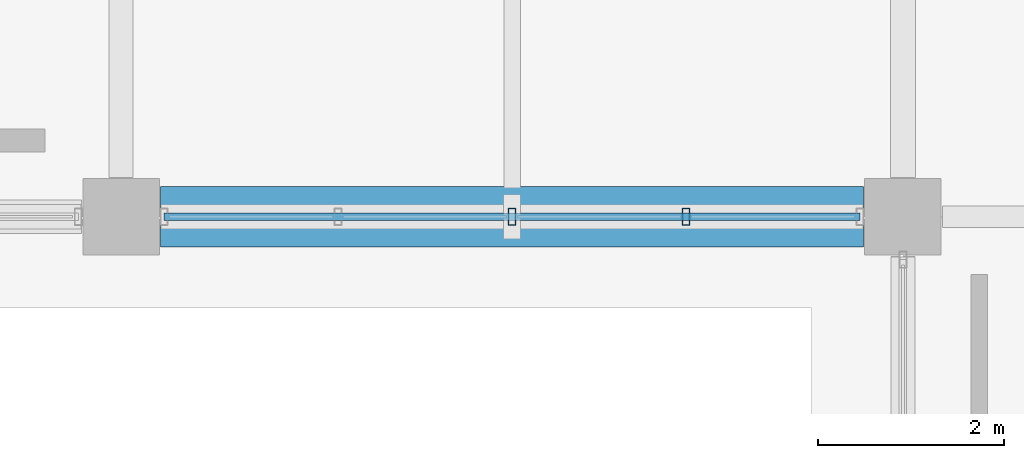
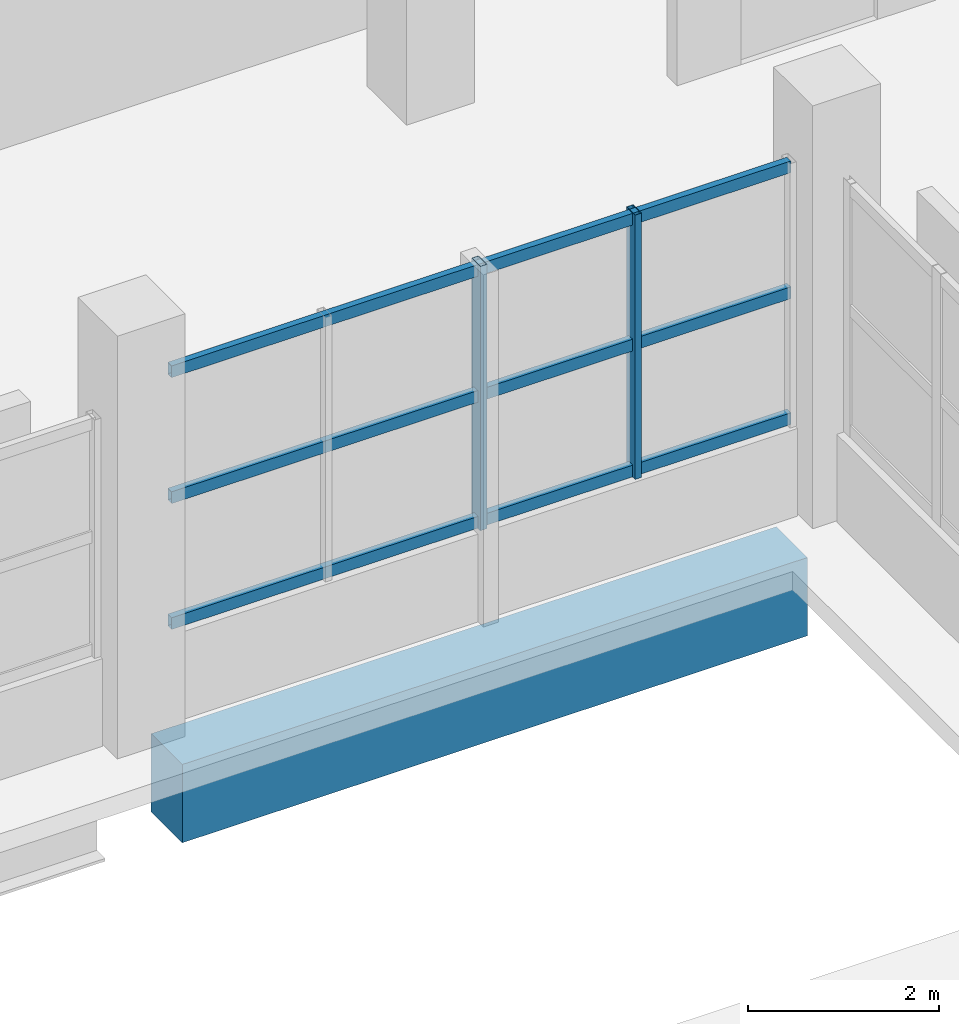
# One storey, part 34 of 107: 5 members, 1 beam, 1 element without a shape of its own.
"""IFC4 building model written with IfcOpenShell, lengths in metres."""

from ifc_helpers import new_model, si_unit, direction, frame, origin, origin_2d, place, context, subcontext, project, spatial, rectangle, hollow_rectangle, extrude, material, material_profile, profile_set, type_object, element, aggregate, save


model = new_model("IFC4")

# Units and contexts
model_context = context("Model", 3, precision=1e-05, world=origin(), true_north=direction((0.0, 1.0)))
body_context = subcontext(model_context, "Body", "Model", "MODEL_VIEW")
ifc_project = project(units=[si_unit("LENGTHUNIT", "METRE"), si_unit("AREAUNIT", "SQUARE_METRE"), si_unit("VOLUMEUNIT", "CUBIC_METRE"), si_unit("PLANEANGLEUNIT", "RADIAN"), si_unit("MASSUNIT", "GRAM", prefix="KILO")], contexts=[model_context])

# Site, building, storey
site_placement = place(None, origin())
site = spatial("IfcSite", under=ifc_project, at=site_placement, CompositionType="ELEMENT")
building_placement = place(site_placement, origin())
building = spatial("IfcBuilding", under=site, at=building_placement, Name="Solvento Point Concert Hall", CompositionType="ELEMENT")
storey_placement = place(building_placement, origin())
storey = spatial("IfcBuildingStorey", under=building, at=storey_placement, Name="L00", CompositionType="ELEMENT", Elevation=0.0)

# Beam
ifc_material_1 = material(Name="Concrete C35/45", Category="concrete")
ifc_material_profile_1 = material_profile(ifc_material_1, rectangle(XDim=0.64990234375, YDim=1.0, at=origin_2d()), Name="RC-BM-650X1000")
ifc_profile_set_1 = profile_set([ifc_material_profile_1], Name="Concrete C35/45")
beam_type = type_object("IfcBeamType", Name="Girder_RC_650x1000", PredefinedType="USERDEFINED", material=ifc_profile_set_1)
beam_placement = place(storey_placement, frame((58.02392578125, 119.0, -0.9140625), z_axis=(1.0, 0.0, 0.0), x_axis=(0.0, 1.0, 0.0)))
element("IfcBeam", 1, at=beam_placement, inside=storey, type_object=beam_type, Name="Primary girder B-67 L00", ObjectType="GIRDER", PredefinedType="USERDEFINED", context=body_context, shape_type="SweptSolid", body=[
    extrude(rectangle(XDim=0.64990234375, YDim=1.0, at=origin_2d()), origin(), (0.0, 0.0, 1.0), 7.552001953125),
])

# Curtain wall, members
ifc_material_2 = material(Name="Anodized Bronze Aluminium", Category="aluminium")
curtain_wall_type = type_object("IfcCurtainWallType", Name="CurtainWall_CourtPilotis", PredefinedType="USERDEFINED", material=ifc_material_2)
curtain_wall_placement = place(storey_placement, origin())
curtain_wall = element("IfcCurtainWall", 2, at=curtain_wall_placement, inside=storey, type_object=curtain_wall_type, Name="Unitised curtain wall CW-96 UCW-L00-026", ObjectType="UNITISED CURTAIN WALL", PredefinedType="USERDEFINED")
ifc_material_3 = material(Name="Anodized Bronze Aluminium", Category="aluminium")
ifc_material_profile_2 = material_profile(ifc_material_3, hollow_rectangle(XDim=0.080078125, YDim=0.179931640625, WallThickness=0.00390625, at=origin_2d()), Name="CW-MUL-80X180")
ifc_profile_set_2 = profile_set([ifc_material_profile_2], Name="Anodized Bronze Aluminium")
member_type_1 = type_object("IfcMemberType", Name="Mullion_80x180", PredefinedType="MULLION", material=ifc_profile_set_2)
member_1_placement = place(storey_placement, frame((61.800048828125, 119.0, 1.1201171875), z_axis=(0.0, 0.0, 1.0), x_axis=(1.0, 0.0, 0.0)))
member_1 = element("IfcMember", 3, at=member_1_placement, type_object=member_type_1, Name="Curtain wall mullion ML-01", PredefinedType="MULLION", context=body_context, shape_type="SweptSolid", body=[
    extrude(hollow_rectangle(XDim=0.080078125, YDim=0.179931640625, WallThickness=0.00390625, at=origin_2d()), origin(), (0.0, 0.0, 1.0), 3.3759765625),
])
member_2_placement = place(storey_placement, frame((63.669921875, 119.0, 1.1201171875), z_axis=(0.0, 0.0, 1.0), x_axis=(1.0, 0.0, 0.0)))
member_2 = element("IfcMember", 4, at=member_2_placement, type_object=member_type_1, Name="Curtain wall mullion ML-01", PredefinedType="MULLION", context=body_context, shape_type="SweptSolid", body=[
    extrude(hollow_rectangle(XDim=0.080078125, YDim=0.179931640625, WallThickness=0.00390625, at=origin_2d()), origin(), (0.0, 0.0, 1.0), 3.3759765625),
])
ifc_material_4 = material(Name="Anodized Bronze Aluminium", Category="aluminium")
ifc_material_profile_3 = material_profile(ifc_material_4, hollow_rectangle(XDim=0.080078125, YDim=0.14990234375, WallThickness=0.00390625, at=origin_2d()), Name="CW-TRN-80X150")
ifc_profile_set_3 = profile_set([ifc_material_profile_3], Name="Anodized Bronze Aluminium")
member_type_2 = type_object("IfcMemberType", Name="Transom_80x150", PredefinedType="USERDEFINED", material=ifc_profile_set_3)
member_3_placement = place(storey_placement, frame((58.06005859375, 119.0, 1.199951171875), z_axis=(1.0, 0.0, 0.0), x_axis=(0.0, 1.0, 0.0)))
member_3 = element("IfcMember", 5, at=member_3_placement, type_object=member_type_2, Name="Curtain wall transom TR-01", ObjectType="TRANSOM", PredefinedType="USERDEFINED", context=body_context, shape_type="SweptSolid", body=[
    extrude(hollow_rectangle(XDim=0.080078125, YDim=0.14990234375, WallThickness=0.00390625, at=origin_2d()), origin(), (0.0, 0.0, 1.0), 7.47998046875),
])
member_4_placement = place(storey_placement, frame((58.06005859375, 119.0, 2.80810546875), z_axis=(1.0, 0.0, 0.0), x_axis=(0.0, 1.0, 0.0)))
member_4 = element("IfcMember", 6, at=member_4_placement, type_object=member_type_2, Name="Curtain wall transom TR-01", ObjectType="TRANSOM", PredefinedType="USERDEFINED", context=body_context, shape_type="SweptSolid", body=[
    extrude(hollow_rectangle(XDim=0.080078125, YDim=0.14990234375, WallThickness=0.00390625, at=origin_2d()), origin(), (0.0, 0.0, 1.0), 7.47998046875),
])
member_5_placement = place(storey_placement, frame((58.06005859375, 119.0, 4.416015625), z_axis=(1.0, 0.0, 0.0), x_axis=(0.0, 1.0, 0.0)))
member_5 = element("IfcMember", 7, at=member_5_placement, type_object=member_type_2, Name="Curtain wall transom TR-01", ObjectType="TRANSOM", PredefinedType="USERDEFINED", context=body_context, shape_type="SweptSolid", body=[
    extrude(hollow_rectangle(XDim=0.080078125, YDim=0.14990234375, WallThickness=0.00390625, at=origin_2d()), origin(), (0.0, 0.0, 1.0), 7.47998046875),
])
aggregate(curtain_wall, [member_1, member_2, member_3, member_4, member_5])

save(model, "model.ifc")
